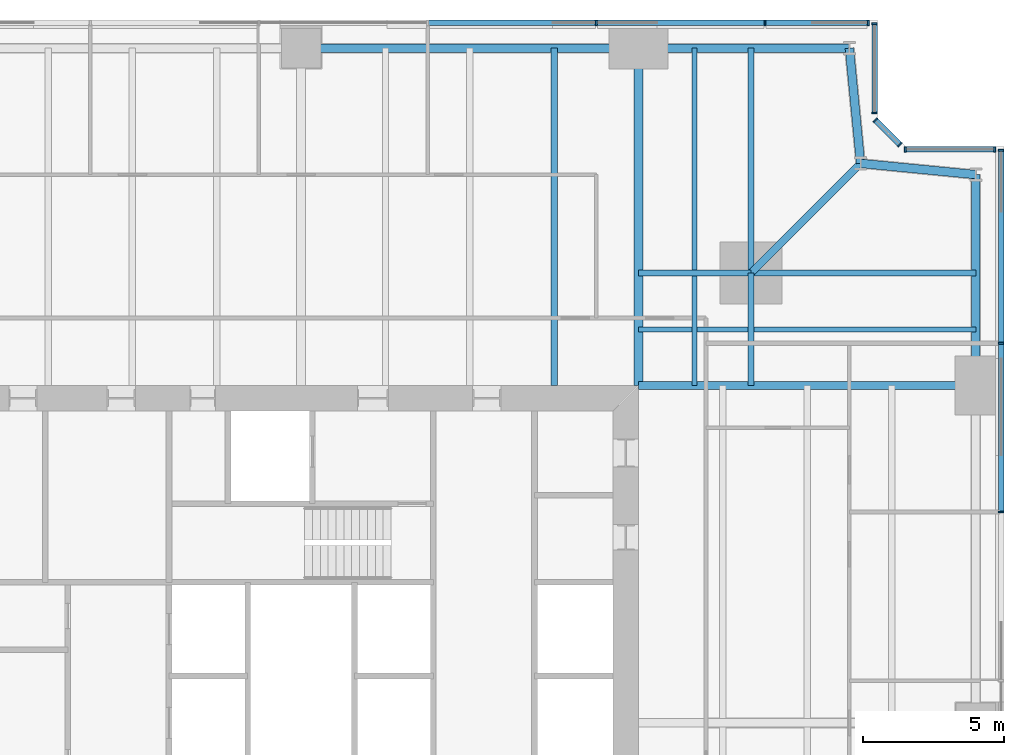
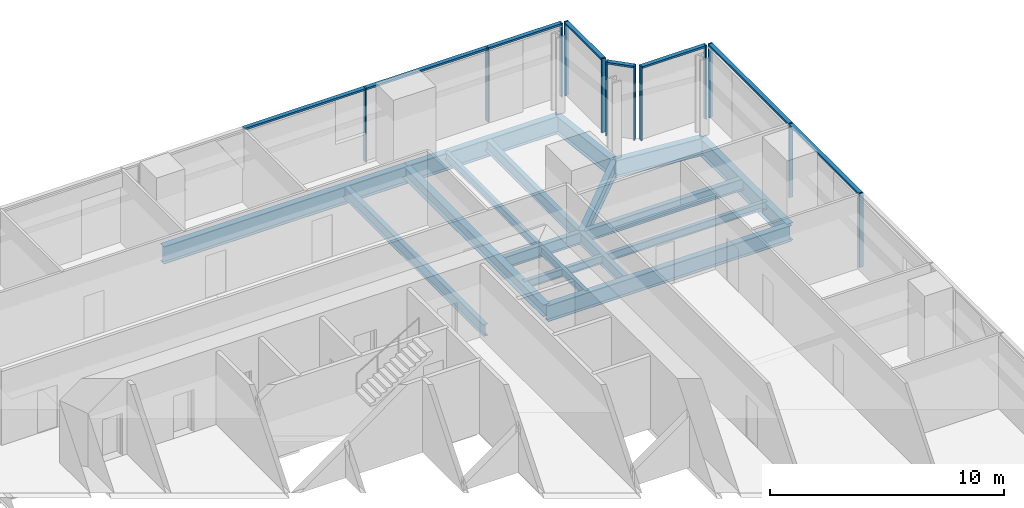
# One storey, part 7 of 13: 20 members, 18 beams, 5 elements without a shape of their own.
"""IFC4 building model written with IfcOpenShell, lengths in metres."""

from ifc_helpers import new_model, si_unit, direction, frame, origin, origin_2d, place, context, subcontext, project, spatial, rectangle, i_section, extrude, material, material_profile, profile_set, type_object, element, aggregate, save


model = new_model("IFC4")

# Units and contexts
model_context = context("Model", 3, precision=1e-05, world=origin(), true_north=direction((0.0, 1.0)))
body_context = subcontext(model_context, "Body", "Model", "MODEL_VIEW")
ifc_project = project(units=[si_unit("LENGTHUNIT", "METRE"), si_unit("AREAUNIT", "SQUARE_METRE"), si_unit("VOLUMEUNIT", "CUBIC_METRE"), si_unit("PLANEANGLEUNIT", "RADIAN"), si_unit("MASSUNIT", "GRAM", prefix="KILO")], contexts=[model_context])

# Site, building, storey
site_placement = place(None, origin())
site = spatial("IfcSite", under=ifc_project, at=site_placement, CompositionType="ELEMENT")
building_placement = place(site_placement, origin())
building = spatial("IfcBuilding", under=site, at=building_placement, Name="Fenwick Lantern Interchange", CompositionType="ELEMENT")
storey_placement = place(building_placement, frame((0.0, 0.0, 102.39990234375)))
storey = spatial("IfcBuildingStorey", under=building, at=storey_placement, Name="L23", CompositionType="ELEMENT", Elevation=102.39990234375)

# Beams
ifc_material_1 = material(Name="Steel ASTM A992 Grade 50", Category="steel")
ifc_material_profile_1 = material_profile(ifc_material_1, i_section(OverallWidth=0.3046875, OverallDepth=0.911865234375, WebThickness=0.015869140625, FlangeThickness=0.02392578125, at=origin_2d()), Name="W36X150")
ifc_profile_set_1 = profile_set([ifc_material_profile_1], Name="Steel ASTM A992 Grade 50")
beam_type_1 = type_object("IfcBeamType", Name="EDGE BEAM W36X150", PredefinedType="SPANDREL", material=ifc_profile_set_1)
beam_1_placement = place(storey_placement, frame((49.0, 37.0, -0.605712890625), z_axis=(0.0, 1.0, 0.0), x_axis=(-1.0, 0.0, 0.0)))
element("IfcBeam", 1, at=beam_1_placement, inside=storey, type_object=beam_type_1, Name="L23/FR/E/EB4", PredefinedType="SPANDREL", context=body_context, shape_type="SweptSolid", body=[
    extrude(i_section(OverallWidth=0.3046875, OverallDepth=0.911865234375, WebThickness=0.015869140625, FlangeThickness=0.02392578125, at=origin_2d()), origin(), (0.0, 0.0, 1.0), 7.5),
])
for number, where, z_axis, x_axis, name in (
    (2, (49.0, 44.5, -0.605712890625), (-0.995277148028, 0.097074191287, 0.0), (-0.097074191287, -0.995277148028, 0.0), "L23/FR/E/EBR1"),
    (3, (44.89990234375, 44.89990234375, -0.605712890625), (-0.097074191287, 0.995277148028, 0.0), (-0.995277148028, -0.097074191287, 0.0), "L23/FR/E/EBR2"),
):
    element("IfcBeam", number, at=place(storey_placement, frame(where, z_axis=z_axis, x_axis=x_axis)), inside=storey, type_object=beam_type_1, Name=name, PredefinedType="SPANDREL", context=body_context, shape_type="SweptSolid", body=[
        extrude(i_section(OverallWidth=0.3046875, OverallDepth=0.911865234375, WebThickness=0.015869140625, FlangeThickness=0.02392578125, at=origin_2d()), origin(), (0.0, 0.0, 1.0), 4.11962890625),
    ])
beam_2_placement = place(storey_placement, frame((44.5, 49.0, -0.605712890625), z_axis=(-1.0, 0.0, 0.0), x_axis=(0.0, -1.0, 0.0)))
element("IfcBeam", 4, at=beam_2_placement, inside=storey, type_object=beam_type_1, Name="L23/FR/N/EB1", PredefinedType="SPANDREL", context=body_context, shape_type="SweptSolid", body=[
    extrude(i_section(OverallWidth=0.3046875, OverallDepth=0.911865234375, WebThickness=0.015869140625, FlangeThickness=0.02392578125, at=origin_2d()), origin(), (0.0, 0.0, 1.0), 7.5),
])
beam_3_placement = place(storey_placement, frame((37.0, 49.0, -0.605712890625), z_axis=(-1.0, 0.0, 0.0), x_axis=(0.0, -1.0, 0.0)))
element("IfcBeam", 5, at=beam_3_placement, inside=storey, type_object=beam_type_1, Name="L23/FR/N/EB2", PredefinedType="SPANDREL", context=body_context, shape_type="SweptSolid", body=[
    extrude(i_section(OverallWidth=0.3046875, OverallDepth=0.911865234375, WebThickness=0.015869140625, FlangeThickness=0.02392578125, at=origin_2d()), origin(), (0.0, 0.0, 1.0), 12.0),
])
ifc_material_profile_2 = material_profile(ifc_material_1, i_section(OverallWidth=0.22900390625, OverallDepth=0.612060546875, WebThickness=0.011962890625, FlangeThickness=0.01953125, at=origin_2d()), Name="W24X84")
ifc_profile_set_2 = profile_set([ifc_material_profile_2], Name="Steel ASTM A992 Grade 50")
beam_type_2 = type_object("IfcBeamType", Name="FLOOR BEAM W24X84", PredefinedType="BEAM", material=ifc_profile_set_2)
beam_4_placement = place(storey_placement, frame((34.0, 49.0, -0.4560546875), z_axis=(0.0, -1.0, 0.0), x_axis=(1.0, 0.0, 0.0)))
element("IfcBeam", 6, at=beam_4_placement, inside=storey, type_object=beam_type_2, Name="L23/FR/N/R02", PredefinedType="BEAM", context=body_context, shape_type="SweptSolid", body=[
    extrude(i_section(OverallWidth=0.22900390625, OverallDepth=0.612060546875, WebThickness=0.011962890625, FlangeThickness=0.01953125, at=origin_2d()), origin(), (0.0, 0.0, 1.0), 12.0),
])
ifc_material_profile_3 = material_profile(ifc_material_1, i_section(OverallWidth=0.177734375, OverallDepth=0.406494140625, WebThickness=0.0078125, FlangeThickness=0.012939453125, at=origin_2d()), Name="W16X40")
ifc_profile_set_3 = profile_set([ifc_material_profile_3], Name="Steel ASTM A992 Grade 50")
beam_type_3 = type_object("IfcBeamType", Name="INFILL BEAM W16X40", PredefinedType="JOIST", material=ifc_profile_set_3)
beam_5_placement = place(storey_placement, frame((39.0, 49.0, -0.35302734375), z_axis=(0.0, -1.0, 0.0), x_axis=(1.0, 0.0, 0.0)))
element("IfcBeam", 7, at=beam_5_placement, inside=storey, type_object=beam_type_3, Name="L23/FR/N/J1", PredefinedType="JOIST", context=body_context, shape_type="SweptSolid", body=[
    extrude(i_section(OverallWidth=0.177734375, OverallDepth=0.406494140625, WebThickness=0.0078125, FlangeThickness=0.012939453125, at=origin_2d()), origin(), (0.0, 0.0, 1.0), 7.885498046875),
])
beam_6_placement = place(storey_placement, frame((39.0, 40.885498046875, -0.35302734375), z_axis=(0.0, -1.0, 0.0), x_axis=(1.0, 0.0, 0.0)))
element("IfcBeam", 8, at=beam_6_placement, inside=storey, type_object=beam_type_3, Name="L23/FR/N/J2", PredefinedType="JOIST", context=body_context, shape_type="SweptSolid", body=[
    extrude(i_section(OverallWidth=0.177734375, OverallDepth=0.406494140625, WebThickness=0.0078125, FlangeThickness=0.012939453125, at=origin_2d()), origin(), (0.0, 0.0, 1.0), 3.885498046875),
])
beam_7_placement = place(storey_placement, frame((49.0, 39.0, -0.35302734375), z_axis=(-1.0, 0.0, 0.0), x_axis=(0.0, -1.0, 0.0)))
element("IfcBeam", 9, at=beam_7_placement, inside=storey, type_object=beam_type_3, Name="L23/FR/N/J3", PredefinedType="JOIST", context=body_context, shape_type="SweptSolid", body=[
    extrude(i_section(OverallWidth=0.177734375, OverallDepth=0.406494140625, WebThickness=0.0078125, FlangeThickness=0.012939453125, at=origin_2d()), origin(), (0.0, 0.0, 1.0), 7.885498046875),
])
beam_8_placement = place(storey_placement, frame((40.885498046875, 39.0, -0.35302734375), z_axis=(-1.0, 0.0, 0.0), x_axis=(0.0, -1.0, 0.0)))
element("IfcBeam", 10, at=beam_8_placement, inside=storey, type_object=beam_type_3, Name="L23/FR/N/J4", PredefinedType="JOIST", context=body_context, shape_type="SweptSolid", body=[
    extrude(i_section(OverallWidth=0.177734375, OverallDepth=0.406494140625, WebThickness=0.0078125, FlangeThickness=0.012939453125, at=origin_2d()), origin(), (0.0, 0.0, 1.0), 1.796630859375),
])
beam_9_placement = place(storey_placement, frame((38.9111328125, 39.0, -0.35302734375), z_axis=(-1.0, 0.0, 0.0), x_axis=(0.0, -1.0, 0.0)))
element("IfcBeam", 11, at=beam_9_placement, inside=storey, type_object=beam_type_3, Name="L23/FR/N/J5", PredefinedType="JOIST", context=body_context, shape_type="SweptSolid", body=[
    extrude(i_section(OverallWidth=0.177734375, OverallDepth=0.406494140625, WebThickness=0.0078125, FlangeThickness=0.012939453125, at=origin_2d()), origin(), (0.0, 0.0, 1.0), 1.9111328125),
])
ifc_material_profile_4 = material_profile(ifc_material_1, i_section(OverallWidth=0.22900390625, OverallDepth=0.612060546875, WebThickness=0.011962890625, FlangeThickness=0.01953125, at=origin_2d()), Name="W24X84")
ifc_profile_set_4 = profile_set([ifc_material_profile_4], Name="Steel ASTM A992 Grade 50")
beam_type_4 = type_object("IfcBeamType", Name="MEGA COLUMN BEAM W24X84", PredefinedType="BEAM", material=ifc_profile_set_4)
for number, where, z_axis, x_axis, name in (
    (12, (41.0, 41.0, -0.4560546875), (0.0, 1.0, 0.0), (-1.0, 0.0, 0.0), "L23/FR/N/MB1"),
    (13, (41.0, 41.0, -0.4560546875), (1.0, 0.0, 0.0), (0.0, 1.0, 0.0), "L23/FR/N/MB2"),
):
    element("IfcBeam", number, at=place(storey_placement, frame(where, z_axis=z_axis, x_axis=x_axis)), inside=storey, type_object=beam_type_4, Name=name, PredefinedType="BEAM", context=body_context, shape_type="SweptSolid", body=[
        extrude(i_section(OverallWidth=0.22900390625, OverallDepth=0.612060546875, WebThickness=0.011962890625, FlangeThickness=0.01953125, at=origin_2d()), origin(), (0.0, 0.0, 1.0), 8.0),
    ])
for number, where, z_axis, x_axis, name in (
    (14, (41.0, 41.0, -0.4560546875), (-1.0, 0.0, 0.0), (0.0, -1.0, 0.0), "L23/FR/N/MB3"),
    (15, (41.0, 41.0, -0.4560546875), (0.0, -1.0, 0.0), (1.0, 0.0, 0.0), "L23/FR/N/MB4"),
):
    element("IfcBeam", number, at=place(storey_placement, frame(where, z_axis=z_axis, x_axis=x_axis)), inside=storey, type_object=beam_type_4, Name=name, PredefinedType="BEAM", context=body_context, shape_type="SweptSolid", body=[
        extrude(i_section(OverallWidth=0.22900390625, OverallDepth=0.612060546875, WebThickness=0.011962890625, FlangeThickness=0.01953125, at=origin_2d()), origin(), (0.0, 0.0, 1.0), 4.0),
    ])
ifc_material_profile_5 = material_profile(ifc_material_1, i_section(OverallWidth=0.32763671875, OverallDepth=0.622314453125, WebThickness=0.015380859375, FlangeThickness=0.0244140625, at=origin_2d()), Name="W24X131")
ifc_profile_set_5 = profile_set([ifc_material_profile_5], Name="Steel ASTM A992 Grade 50")
beam_type_5 = type_object("IfcBeamType", Name="MOMENT-CONNECTED GIRDER W24X131", PredefinedType="BEAM", material=ifc_profile_set_5)
beam_10_placement = place(storey_placement, frame((37.0, 49.0, -0.4609375), z_axis=(0.0, -1.0, 0.0), x_axis=(1.0, 0.0, 0.0)))
element("IfcBeam", 16, at=beam_10_placement, inside=storey, type_object=beam_type_5, Name="L23/FR/N/R01", PredefinedType="BEAM", context=body_context, shape_type="SweptSolid", body=[
    extrude(i_section(OverallWidth=0.32763671875, OverallDepth=0.622314453125, WebThickness=0.015380859375, FlangeThickness=0.0244140625, at=origin_2d()), origin(), (0.0, 0.0, 1.0), 12.0),
])
ifc_material_profile_6 = material_profile(ifc_material_1, i_section(OverallWidth=0.2919921875, OverallDepth=0.845703125, WebThickness=0.015380859375, FlangeThickness=0.0244140625, at=origin_2d()), Name="W33X141")
ifc_profile_set_6 = profile_set([ifc_material_profile_6], Name="Steel ASTM A992 Grade 50")
beam_type_6 = type_object("IfcBeamType", Name="MOMENT-CONNECTED GIRDER W33X141", PredefinedType="BEAM", material=ifc_profile_set_6)
beam_11_placement = place(storey_placement, frame((49.0, 37.0, -0.57275390625), z_axis=(-1.0, 0.0, 0.0), x_axis=(0.0, -1.0, 0.0)))
element("IfcBeam", 17, at=beam_11_placement, inside=storey, type_object=beam_type_6, Name="L23/FR/E/R03", PredefinedType="BEAM", context=body_context, shape_type="SweptSolid", body=[
    extrude(i_section(OverallWidth=0.2919921875, OverallDepth=0.845703125, WebThickness=0.015380859375, FlangeThickness=0.0244140625, at=origin_2d()), origin(), (0.0, 0.0, 1.0), 12.0),
])
ifc_material_profile_7 = material_profile(ifc_material_1, i_section(OverallWidth=0.2666015625, OverallDepth=0.7568359375, WebThickness=0.013916015625, FlangeThickness=0.019287109375, at=origin_2d()), Name="W30X108")
ifc_profile_set_7 = profile_set([ifc_material_profile_7], Name="Steel ASTM A992 Grade 50")
beam_type_7 = type_object("IfcBeamType", Name="NOTCH BEAM W30X108", PredefinedType="BEAM", material=ifc_profile_set_7)
beam_12_placement = place(storey_placement, frame((41.0, 41.0, -0.5283203125), z_axis=(0.707106781187, 0.707106781187, 0.0), x_axis=(-0.707106781187, 0.707106781187, 0.0)))
element("IfcBeam", 18, at=beam_12_placement, inside=storey, type_object=beam_type_7, Name="L23/FR/N/TG", PredefinedType="BEAM", context=body_context, shape_type="SweptSolid", body=[
    extrude(i_section(OverallWidth=0.2666015625, OverallDepth=0.7568359375, WebThickness=0.013916015625, FlangeThickness=0.019287109375, at=origin_2d()), origin(), (0.0, 0.0, 1.0), 5.515380859375),
])

# Curtain wall, members
ifc_material_2 = material(Name="Aluminium curtain wall frame", Category="aluminium")
curtain_wall_type = type_object("IfcCurtainWallType", Name="OFFICE CURTAIN WALL", PredefinedType="USERDEFINED", material=ifc_material_2)
curtain_wall_1_placement = place(storey_placement, origin())
curtain_wall_1 = element("IfcCurtainWall", 19, at=curtain_wall_1_placement, inside=storey, type_object=curtain_wall_type, Name="Office curtain wall 05", ObjectType="OFFICE CURTAIN WALL", PredefinedType="USERDEFINED")
ifc_material_3 = material(Name="Aluminium extrusion", Category="aluminium")
ifc_material_profile_8 = material_profile(ifc_material_3, rectangle(XDim=0.199951171875, YDim=0.06494140625, at=origin_2d()), Name="OFFICE CURTAIN WALL MULLION 65 X 200")
ifc_profile_set_8 = profile_set([ifc_material_profile_8], Name="Aluminium extrusion")
member_type_1 = type_object("IfcMemberType", Name="OFFICE CURTAIN WALL MULLION 65 X 200", PredefinedType="MULLION", material=ifc_profile_set_8)
member_1_placement = place(storey_placement, frame((49.89990234375, 32.5, 0.0), z_axis=(0.0, 0.0, 1.0), x_axis=(-1.0, 0.0, 0.0)))
member_1 = element("IfcMember", 20, at=member_1_placement, type_object=member_type_1, Name="L23/CW/05/M05", PredefinedType="MULLION", context=body_context, shape_type="SweptSolid", body=[
    extrude(rectangle(XDim=0.199951171875, YDim=0.06494140625, at=origin_2d()), origin(), (0.0, 0.0, 1.0), 3.85009765625),
])
member_2_placement = place(storey_placement, frame((49.89990234375, 38.5, 0.0), z_axis=(0.0, 0.0, 1.0), x_axis=(-1.0, 0.0, 0.0)))
member_2 = element("IfcMember", 21, at=member_2_placement, type_object=member_type_1, Name="L23/CW/05/M06", PredefinedType="MULLION", context=body_context, shape_type="SweptSolid", body=[
    extrude(rectangle(XDim=0.199951171875, YDim=0.06494140625, at=origin_2d()), origin(), (0.0, 0.0, 1.0), 3.85009765625),
])
member_3_placement = place(storey_placement, frame((49.89990234375, 45.367431640625, 0.0), z_axis=(0.0, 0.0, 1.0), x_axis=(-1.0, 0.0, 0.0)))
member_3 = element("IfcMember", 22, at=member_3_placement, type_object=member_type_1, Name="L23/CW/05/M07", PredefinedType="MULLION", context=body_context, shape_type="SweptSolid", body=[
    extrude(rectangle(XDim=0.199951171875, YDim=0.06494140625, at=origin_2d()), origin(), (0.0, 0.0, 1.0), 3.85009765625),
])

curtain_wall_2_placement = place(storey_placement, origin())
curtain_wall_2 = element("IfcCurtainWall", 23, at=curtain_wall_2_placement, inside=storey, type_object=curtain_wall_type, Name="Office curtain wall 06", ObjectType="OFFICE CURTAIN WALL", PredefinedType="USERDEFINED")
member_4_placement = place(storey_placement, frame((49.66748046875, 45.39990234375, 0.0), z_axis=(0.0, 0.0, 1.0), x_axis=(0.0, -1.0, 0.0)))
member_4 = element("IfcMember", 24, at=member_4_placement, type_object=member_type_1, Name="L23/CW/06/M00", PredefinedType="MULLION", context=body_context, shape_type="SweptSolid", body=[
    extrude(rectangle(XDim=0.199951171875, YDim=0.06494140625, at=origin_2d()), origin(), (0.0, 0.0, 1.0), 3.85009765625),
])
member_5_placement = place(storey_placement, frame((46.490966796875, 45.39990234375, 0.0), z_axis=(0.0, 0.0, 1.0), x_axis=(0.0, -1.0, 0.0)))
member_5 = element("IfcMember", 25, at=member_5_placement, type_object=member_type_1, Name="L23/CW/06/M01", PredefinedType="MULLION", context=body_context, shape_type="SweptSolid", body=[
    extrude(rectangle(XDim=0.199951171875, YDim=0.06494140625, at=origin_2d()), origin(), (0.0, 0.0, 1.0), 3.85009765625),
])

curtain_wall_3_placement = place(storey_placement, origin())
curtain_wall_3 = element("IfcCurtainWall", 26, at=curtain_wall_3_placement, inside=storey, type_object=curtain_wall_type, Name="Office curtain wall 07", ObjectType="OFFICE CURTAIN WALL", PredefinedType="USERDEFINED")
member_6_placement = place(storey_placement, frame((46.294189453125, 45.564453125, 0.0), z_axis=(0.0, 0.0, 1.0), x_axis=(-0.707106781187, -0.707106781187, 0.0)))
member_6 = element("IfcMember", 27, at=member_6_placement, type_object=member_type_1, Name="L23/CW/07/M00", PredefinedType="MULLION", context=body_context, shape_type="SweptSolid", body=[
    extrude(rectangle(XDim=0.199951171875, YDim=0.06494140625, at=origin_2d()), origin(), (0.0, 0.0, 1.0), 3.85009765625),
])
member_7_placement = place(storey_placement, frame((45.423095703125, 46.435546875, 0.0), z_axis=(0.0, 0.0, 1.0), x_axis=(-0.707106781187, -0.707106781187, 0.0)))
member_7 = element("IfcMember", 28, at=member_7_placement, type_object=member_type_1, Name="L23/CW/07/M01", PredefinedType="MULLION", context=body_context, shape_type="SweptSolid", body=[
    extrude(rectangle(XDim=0.199951171875, YDim=0.06494140625, at=origin_2d()), origin(), (0.0, 0.0, 1.0), 3.85009765625),
])

curtain_wall_4_placement = place(storey_placement, origin())
curtain_wall_4 = element("IfcCurtainWall", 29, at=curtain_wall_4_placement, inside=storey, type_object=curtain_wall_type, Name="Office curtain wall 08", ObjectType="OFFICE CURTAIN WALL", PredefinedType="USERDEFINED")
member_8_placement = place(storey_placement, frame((45.39990234375, 46.691162109375, 0.0), z_axis=(0.0, 0.0, 1.0), x_axis=(-1.0, 0.0, 0.0)))
member_8 = element("IfcMember", 30, at=member_8_placement, type_object=member_type_1, Name="L23/CW/08/M00", PredefinedType="MULLION", context=body_context, shape_type="SweptSolid", body=[
    extrude(rectangle(XDim=0.199951171875, YDim=0.06494140625, at=origin_2d()), origin(), (0.0, 0.0, 1.0), 3.85009765625),
])
member_9_placement = place(storey_placement, frame((45.39990234375, 49.867431640625, 0.0), z_axis=(0.0, 0.0, 1.0), x_axis=(-1.0, 0.0, 0.0)))
member_9 = element("IfcMember", 31, at=member_9_placement, type_object=member_type_1, Name="L23/CW/08/M01", PredefinedType="MULLION", context=body_context, shape_type="SweptSolid", body=[
    extrude(rectangle(XDim=0.199951171875, YDim=0.06494140625, at=origin_2d()), origin(), (0.0, 0.0, 1.0), 3.85009765625),
])

curtain_wall_5_placement = place(storey_placement, origin())
curtain_wall_5 = element("IfcCurtainWall", 32, at=curtain_wall_5_placement, inside=storey, type_object=curtain_wall_type, Name="Office curtain wall 09", ObjectType="OFFICE CURTAIN WALL", PredefinedType="USERDEFINED")
member_10_placement = place(storey_placement, frame((45.16748046875, 49.89990234375, 0.0), z_axis=(0.0, 0.0, 1.0), x_axis=(0.0, -1.0, 0.0)))
member_10 = element("IfcMember", 33, at=member_10_placement, type_object=member_type_1, Name="L23/CW/09/M00", PredefinedType="MULLION", context=body_context, shape_type="SweptSolid", body=[
    extrude(rectangle(XDim=0.199951171875, YDim=0.06494140625, at=origin_2d()), origin(), (0.0, 0.0, 1.0), 3.85009765625),
])
member_11_placement = place(storey_placement, frame((41.5, 49.89990234375, 0.0), z_axis=(0.0, 0.0, 1.0), x_axis=(0.0, -1.0, 0.0)))
member_11 = element("IfcMember", 34, at=member_11_placement, type_object=member_type_1, Name="L23/CW/09/M01", PredefinedType="MULLION", context=body_context, shape_type="SweptSolid", body=[
    extrude(rectangle(XDim=0.199951171875, YDim=0.06494140625, at=origin_2d()), origin(), (0.0, 0.0, 1.0), 3.85009765625),
])
member_12_placement = place(storey_placement, frame((35.5, 49.89990234375, 0.0), z_axis=(0.0, 0.0, 1.0), x_axis=(0.0, -1.0, 0.0)))
member_12 = element("IfcMember", 35, at=member_12_placement, type_object=member_type_1, Name="L23/CW/09/M02", PredefinedType="MULLION", context=body_context, shape_type="SweptSolid", body=[
    extrude(rectangle(XDim=0.199951171875, YDim=0.06494140625, at=origin_2d()), origin(), (0.0, 0.0, 1.0), 3.85009765625),
])

# Member
ifc_material_profile_9 = material_profile(ifc_material_3, rectangle(XDim=0.199951171875, YDim=0.10009765625, at=origin_2d()), Name="OFFICE CURTAIN WALL TRANSOM 100 X 200")
ifc_profile_set_9 = profile_set([ifc_material_profile_9], Name="Aluminium extrusion")
member_type_2 = type_object("IfcMemberType", Name="OFFICE CURTAIN WALL TRANSOM 100 X 200", PredefinedType="MULLION", material=ifc_profile_set_9)
member_13_placement = place(storey_placement, frame((49.89990234375, 32.532470703125, 3.800048828125), z_axis=(0.0, 1.0, 0.0), x_axis=(-1.0, 0.0, 0.0)))
member_13 = element("IfcMember", 36, at=member_13_placement, type_object=member_type_2, Name="L23/CW/05/T05", PredefinedType="MULLION", context=body_context, shape_type="SweptSolid", body=[
    extrude(rectangle(XDim=0.199951171875, YDim=0.10009765625, at=origin_2d()), origin(), (0.0, 0.0, 1.0), 5.93505859375),
])

member_14_placement = place(storey_placement, frame((49.89990234375, 38.532470703125, 3.800048828125), z_axis=(0.0, 1.0, 0.0), x_axis=(-1.0, 0.0, 0.0)))
member_14 = element("IfcMember", 37, at=member_14_placement, type_object=member_type_2, Name="L23/CW/05/T06", PredefinedType="MULLION", context=body_context, shape_type="SweptSolid", body=[
    extrude(rectangle(XDim=0.199951171875, YDim=0.10009765625, at=origin_2d()), origin(), (0.0, 0.0, 1.0), 6.802490234375),
])

aggregate(curtain_wall_1, [member_1, member_2, member_3, member_13, member_14])

member_15_placement = place(storey_placement, frame((49.635009765625, 45.39990234375, 3.800048828125), z_axis=(-1.0, 0.0, 0.0), x_axis=(0.0, -1.0, 0.0)))
member_15 = element("IfcMember", 38, at=member_15_placement, type_object=member_type_2, Name="L23/CW/06/T00", PredefinedType="MULLION", context=body_context, shape_type="SweptSolid", body=[
    extrude(rectangle(XDim=0.199951171875, YDim=0.10009765625, at=origin_2d()), origin(), (0.0, 0.0, 1.0), 3.111328125),
])

aggregate(curtain_wall_2, [member_4, member_5, member_15])

member_16_placement = place(storey_placement, frame((46.271240234375, 45.58740234375, 3.800048828125), z_axis=(-0.707106781187, 0.707106781187, 0.0), x_axis=(-0.707106781187, -0.707106781187, 0.0)))
member_16 = element("IfcMember", 39, at=member_16_placement, type_object=member_type_2, Name="L23/CW/07/T00", PredefinedType="MULLION", context=body_context, shape_type="SweptSolid", body=[
    extrude(rectangle(XDim=0.199951171875, YDim=0.10009765625, at=origin_2d()), origin(), (0.0, 0.0, 1.0), 1.1669921875),
])

aggregate(curtain_wall_3, [member_6, member_7, member_16])

member_17_placement = place(storey_placement, frame((45.39990234375, 46.7236328125, 3.800048828125), z_axis=(0.0, 1.0, 0.0), x_axis=(-1.0, 0.0, 0.0)))
member_17 = element("IfcMember", 40, at=member_17_placement, type_object=member_type_2, Name="L23/CW/08/T00", PredefinedType="MULLION", context=body_context, shape_type="SweptSolid", body=[
    extrude(rectangle(XDim=0.199951171875, YDim=0.10009765625, at=origin_2d()), origin(), (0.0, 0.0, 1.0), 3.111328125),
])

aggregate(curtain_wall_4, [member_8, member_9, member_17])

member_18_placement = place(storey_placement, frame((45.135009765625, 49.89990234375, 3.800048828125), z_axis=(-1.0, 0.0, 0.0), x_axis=(0.0, -1.0, 0.0)))
member_18 = element("IfcMember", 41, at=member_18_placement, type_object=member_type_2, Name="L23/CW/09/T00", PredefinedType="MULLION", context=body_context, shape_type="SweptSolid", body=[
    extrude(rectangle(XDim=0.199951171875, YDim=0.10009765625, at=origin_2d()), origin(), (0.0, 0.0, 1.0), 3.6025390625),
])

member_19_placement = place(storey_placement, frame((41.467529296875, 49.89990234375, 3.800048828125), z_axis=(-1.0, 0.0, 0.0), x_axis=(0.0, -1.0, 0.0)))
member_19 = element("IfcMember", 42, at=member_19_placement, type_object=member_type_2, Name="L23/CW/09/T01", PredefinedType="MULLION", context=body_context, shape_type="SweptSolid", body=[
    extrude(rectangle(XDim=0.199951171875, YDim=0.10009765625, at=origin_2d()), origin(), (0.0, 0.0, 1.0), 5.93505859375),
])

member_20_placement = place(storey_placement, frame((35.467529296875, 49.89990234375, 3.800048828125), z_axis=(-1.0, 0.0, 0.0), x_axis=(0.0, -1.0, 0.0)))
member_20 = element("IfcMember", 43, at=member_20_placement, type_object=member_type_2, Name="L23/CW/09/T02", PredefinedType="MULLION", context=body_context, shape_type="SweptSolid", body=[
    extrude(rectangle(XDim=0.199951171875, YDim=0.10009765625, at=origin_2d()), origin(), (0.0, 0.0, 1.0), 5.93505859375),
])

aggregate(curtain_wall_5, [member_10, member_11, member_12, member_18, member_19, member_20])

save(model, "model.ifc")
